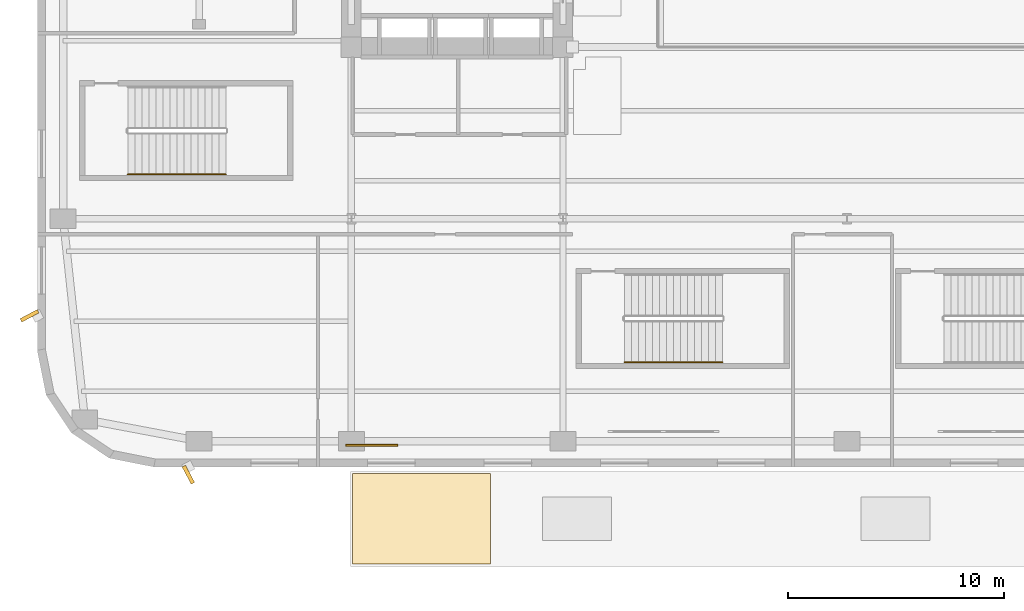
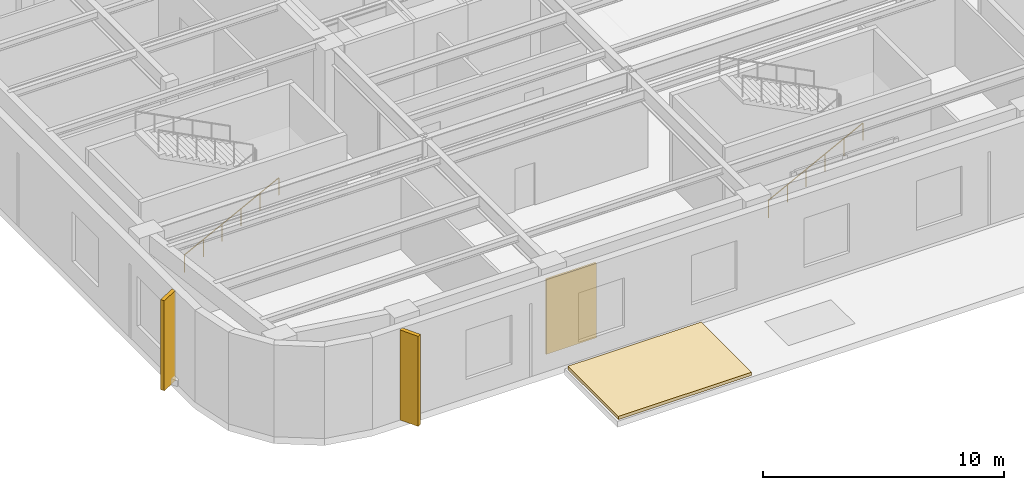
# One storey, part 13 of 24: 2 coverings, 2 railings, 2 shading devices.
"""IFC4 building model written with IfcOpenShell, lengths in metres."""

from ifc_helpers import new_model, si_unit, direction, frame, origin, origin_2d, place, context, subcontext, project, spatial, polyline, rectangle, circle, outline, extrude, material, layer, layer_set, type_object, element, save


model = new_model("IFC4")

# Units and contexts
model_context = context("Model", 3, precision=1e-05, world=origin(), true_north=direction((0.0, 1.0)))
body_context = subcontext(model_context, "Body", "Model", "MODEL_VIEW")
ifc_project = project(units=[si_unit("LENGTHUNIT", "METRE"), si_unit("AREAUNIT", "SQUARE_METRE"), si_unit("VOLUMEUNIT", "CUBIC_METRE"), si_unit("PLANEANGLEUNIT", "RADIAN"), si_unit("MASSUNIT", "GRAM", prefix="KILO")], contexts=[model_context])

# Site, building, storey
site_placement = place(None, origin())
site = spatial("IfcSite", under=ifc_project, at=site_placement, CompositionType="ELEMENT")
building_placement = place(site_placement, origin())
building = spatial("IfcBuilding", under=site, at=building_placement, Name="Kolvaren Arena Tower", CompositionType="ELEMENT")
storey_placement = place(building_placement, frame((0.0, 0.0, 8.0)))
storey = spatial("IfcBuildingStorey", under=building, at=storey_placement, Name="L01", CompositionType="ELEMENT", Elevation=8.0)

# Covering
ifc_material_1 = material(Name="Reconstituted Ontario limestone cladding panel", Category="masonry")
ifc_layer_1 = layer(ifc_material_1, 0.0849609375)
ifc_layer_set_1 = layer_set([ifc_layer_1], Name="Reconstituted Ontario limestone cladding panel")
covering_type_1 = type_object("IfcCoveringType", Name="CLAD-PRC-1", PredefinedType="CLADDING", material=ifc_layer_set_1)
covering_1_placement = place(storey_placement, frame((15.5, 1.0, 0.10009765625), z_axis=(0.0, 0.0, 1.0), x_axis=(1.0, 0.0, 0.0)))
element("IfcCovering", 1, at=covering_1_placement, inside=storey, type_object=covering_type_1, Name="Limestone Spandrel Cladding Panel 1 (L01)", PredefinedType="CLADDING", context=body_context, shape_type="SweptSolid", body=[
    extrude(rectangle(XDim=2.39990234375, YDim=0.0849609375, at=origin_2d()), origin(), (0.0, 0.0, 1.0), 3.800048828125),
])

# Railings
ifc_material_2 = material(Name="Brushed stainless steel handrail", Category="steel")
railing_type = type_object("IfcRailingType", Name="HRAIL-900", PredefinedType="HANDRAIL", material=ifc_material_2)
for number, where, name in (
    (2, (4.199951171875, 13.550048828125, 0.166748046875), "L01 ST-A1 stair handrail 1"),
    (3, (27.199951171875, 4.85009765625, 0.166748046875), "L01 ST-A2 stair handrail 1"),
):
    element("IfcRailing", number, at=place(storey_placement, frame(where)), inside=storey, type_object=railing_type, Name=name, PredefinedType="HANDRAIL", context=body_context, shape_type="SweptSolid", body=[
        extrude(circle(Radius=0.02392578125, at=origin_2d()), frame((0.0, 0.0, 0.8759765625), z_axis=(0.889257211316, 0.0, 0.457407490234), x_axis=(0.0, 1.0, 0.0)), (0.0, 0.0, 1.0), 5.10107421875),
        extrude(circle(Radius=0.02099609375, at=origin_2d()), origin(), (0.0, 0.0, 1.0), 0.851806640625),
        extrude(circle(Radius=0.02099609375, at=origin_2d()), frame((0.9072265625, 0.0, 0.466552734375)), (0.0, 0.0, 1.0), 0.851806640625),
        extrude(circle(Radius=0.02099609375, at=origin_2d()), frame((1.814453125, 0.0, 0.933349609375)), (0.0, 0.0, 1.0), 0.851806640625),
        extrude(circle(Radius=0.02099609375, at=origin_2d()), frame((2.7216796875, 0.0, 1.39990234375)), (0.0, 0.0, 1.0), 0.851806640625),
        extrude(circle(Radius=0.02099609375, at=origin_2d()), frame((3.62890625, 0.0, 1.86669921875)), (0.0, 0.0, 1.0), 0.851806640625),
        extrude(circle(Radius=0.02099609375, at=origin_2d()), frame((4.5361328125, 0.0, 2.333251953125)), (0.0, 0.0, 1.0), 0.851806640625),
    ])

# Covering
ifc_material_3 = material(Name="Insulated cold-climate EPDM roof assembly", Category="concrete")
ifc_layer_2 = layer(ifc_material_3, 0.159912109375)
ifc_layer_set_2 = layer_set([ifc_layer_2], Name="Insulated cold-climate EPDM roof assembly")
covering_type_2 = type_object("IfcCoveringType", Name="ROOF-MEM-1", PredefinedType="ROOFING", material=ifc_layer_set_2)
covering_2_placement = place(storey_placement, origin())
element("IfcCovering", 4, at=covering_2_placement, inside=storey, type_object=covering_type_2, Name="Cold-Climate Insulated EPDM Roof Assembly 3 (L01)", PredefinedType="ROOFING", context=body_context, shape_type="SweptSolid", body=[
    extrude(outline(polyline([(14.60009765625, -4.5), (21.0, -4.5), (21.0, -0.300048828125), (14.60009765625, -0.300048828125), (14.60009765625, -4.5)])), origin(), (0.0, 0.0, 1.0), 0.159912109375),
])

# Shading devices
ifc_material_4 = material(Name="Precast architectural concrete C50/60 rib fin", Category="concrete")
shading_device_type = type_object("IfcShadingDeviceType", Name="SHAD-FIN-28", PredefinedType="USERDEFINED", material=ifc_material_4)
for number, where, z_axis, x_axis, name in (
    (5, (-0.360107421875, 7.0, 0.02001953125), (0.0, 0.0, 1.0), (-0.882947592859, -0.469471562786, 0.0), "Arena Podium 28-Deg Precast Fin (L01)"),
    (6, (7.0, -0.360107421875, 0.02001953125), (0.0, 0.0, 1.0), (0.469471562786, -0.882947592859, 0.0), "Arena Podium 28-Deg Precast Fin (L01)"),
):
    element("IfcShadingDevice", number, at=place(storey_placement, frame(where, z_axis=z_axis, x_axis=x_axis)), inside=storey, type_object=shading_device_type, Name=name, ObjectType="FIN", PredefinedType="USERDEFINED", context=body_context, shape_type="SweptSolid", body=[
        extrude(rectangle(XDim=0.89990234375, YDim=0.179931640625, at=origin_2d()), origin(), (0.0, 0.0, 1.0), 4.570068359375),
    ])

save(model, "model.ifc")
